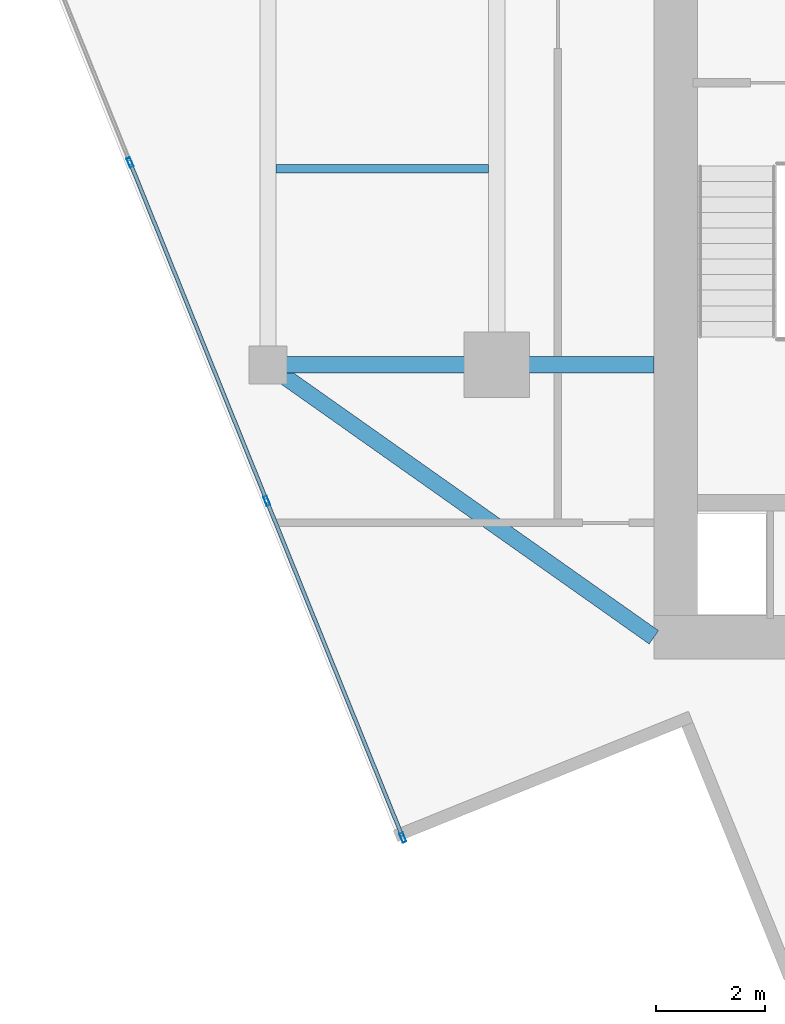
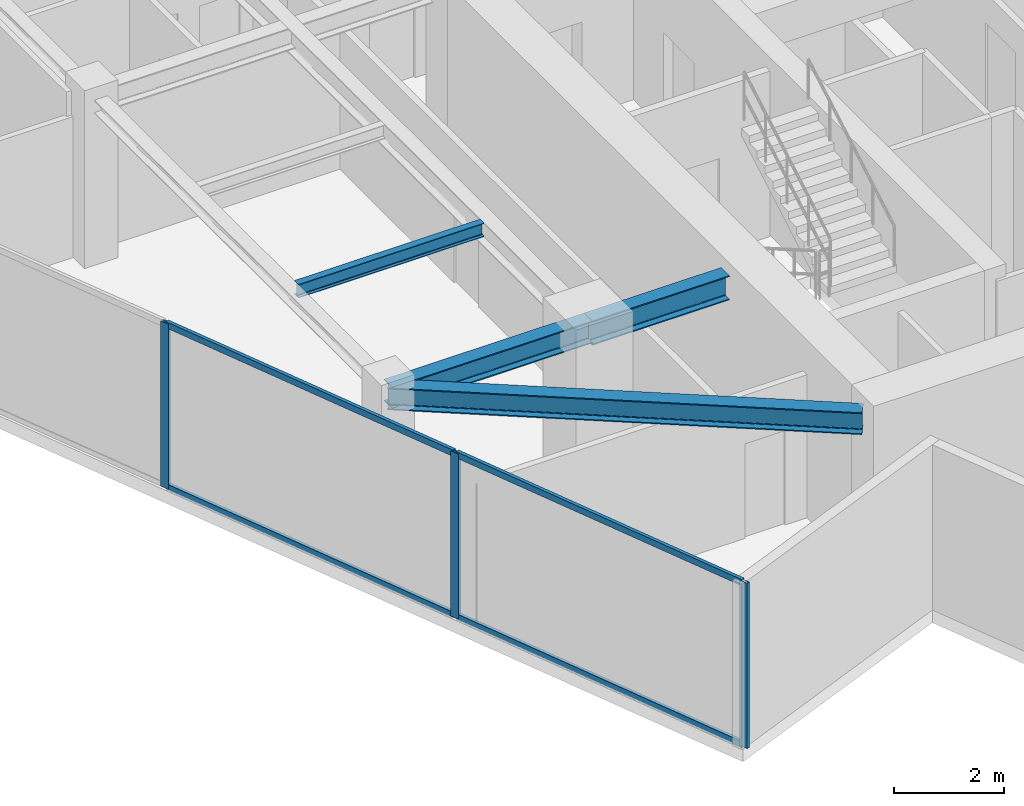
# One storey, part 2 of 21: 7 members, 4 beams, 1 element without a shape of its own.
"""IFC4 building model written with IfcOpenShell, lengths in metres."""

from ifc_helpers import new_model, si_unit, direction, frame, origin, origin_2d, place, context, subcontext, project, spatial, hollow_rectangle, i_section, extrude, source, transform, mapped, material, material_profile, profile_set, type_object, type_shapes, element, aggregate, save


model = new_model("IFC4")

# Units and contexts
model_context = context("Model", 3, precision=1e-05, world=origin(), true_north=direction((0.0, 1.0)))
body_context = subcontext(model_context, "Body", "Model", "MODEL_VIEW")
ifc_project = project(units=[si_unit("LENGTHUNIT", "METRE"), si_unit("AREAUNIT", "SQUARE_METRE"), si_unit("VOLUMEUNIT", "CUBIC_METRE"), si_unit("PLANEANGLEUNIT", "RADIAN"), si_unit("MASSUNIT", "GRAM", prefix="KILO")], contexts=[model_context])

# Site, building, storey
site_placement = place(None, origin())
site = spatial("IfcSite", under=ifc_project, at=site_placement, CompositionType="ELEMENT")
building_placement = place(site_placement, origin())
building = spatial("IfcBuilding", under=site, at=building_placement, Name="Krantzveldt Concourse Tower", CompositionType="ELEMENT")
storey_placement = place(building_placement, frame((0.0, 0.0, 327.699951171875)))
storey = spatial("IfcBuildingStorey", under=building, at=storey_placement, Name="L80", CompositionType="ELEMENT", Elevation=327.699951171875)

# Beams
ifc_material_1 = material(Name="Steel S355JR", Category="steel")
ifc_material_profile_1 = material_profile(ifc_material_1, i_section(OverallWidth=0.300048828125, OverallDepth=0.489990234375, WebThickness=0.011962890625, FlangeThickness=0.02294921875, FilletRadius=0.027099609375, at=origin_2d()), Name="Steel S355JR", Category="steel")
ifc_profile_set_1 = profile_set([ifc_material_profile_1], Name="Steel S355JR - HEA 500")
beam_type_1 = type_object("IfcBeamType", Name="BM-B-HEA500", PredefinedType="BEAM", material=ifc_profile_set_1)
shared_shape_1 = source(origin(), body_context, "Body", "SweptSolid", [
    extrude(i_section(OverallWidth=0.300048828125, OverallDepth=0.489990234375, WebThickness=0.011962890625, FlangeThickness=0.02294921875, FilletRadius=0.027099609375, at=origin_2d()), origin(), (0.0, 0.0, 1.0), 4.199951171875),
])
beam_1_placement = place(storey_placement, frame((21.0, 15.89990234375, 3.425048828125), z_axis=(1.0, 0.0, 0.0), x_axis=(0.0, 1.0, 0.0)))
element("IfcBeam", 1, at=beam_1_placement, inside=storey, type_object=beam_type_1, Name="L80 Tower Girder BR-RL1", PredefinedType="BEAM", context=body_context, shape_type="MappedRepresentation", body=[
    mapped(shared_shape_1, transform((0.0, 0.0, 0.0), x_axis=(1.0, 0.0, 0.0), y_axis=(0.0, 1.0, 0.0), z_axis=(0.0, 0.0, 1.0), scale=1.0)),
])
shared_shape_2 = source(origin(), body_context, "Body", "SweptSolid", [
    extrude(i_section(OverallWidth=0.300048828125, OverallDepth=0.489990234375, WebThickness=0.011962890625, FlangeThickness=0.02294921875, FilletRadius=0.027099609375, at=origin_2d()), origin(), (0.0, 0.0, 1.0), 8.667724609375),
])
type_shapes(beam_type_1, [shared_shape_1, shared_shape_2])
beam_2_placement = place(storey_placement, frame((21.0, 15.89990234375, 3.425048828125), z_axis=(0.81684294656, -0.576860122261, 0.0), x_axis=(0.576860122261, 0.81684294656, 0.0)))
element("IfcBeam", 2, at=beam_2_placement, inside=storey, type_object=beam_type_1, Name="L80 Tower Girder BR-CSW", PredefinedType="BEAM", context=body_context, shape_type="MappedRepresentation", body=[
    mapped(shared_shape_2, transform((0.0, 0.0, 0.0), x_axis=(1.0, 0.0, 0.0), y_axis=(0.0, 1.0, 0.0), z_axis=(0.0, 0.0, 1.0), scale=1.0)),
])
ifc_material_profile_2 = material_profile(ifc_material_1, i_section(OverallWidth=0.300048828125, OverallDepth=0.5400390625, WebThickness=0.012451171875, FlangeThickness=0.02392578125, FilletRadius=0.027099609375, at=origin_2d()), Name="Steel S355JR", Category="steel")
ifc_profile_set_2 = profile_set([ifc_material_profile_2], Name="Steel S355JR - HEA 550")
beam_type_2 = type_object("IfcBeamType", Name="BM-B-HEA550", PredefinedType="BEAM", material=ifc_profile_set_2)
shared_shape_3 = source(origin(), body_context, "Body", "SweptSolid", [
    extrude(i_section(OverallWidth=0.300048828125, OverallDepth=0.5400390625, WebThickness=0.012451171875, FlangeThickness=0.02392578125, FilletRadius=0.027099609375, at=origin_2d()), origin(), (0.0, 0.0, 1.0), 2.880126953125),
])
type_shapes(beam_type_2, [shared_shape_3])
beam_3_placement = place(storey_placement, frame((25.199951171875, 15.89990234375, 3.400146484375), z_axis=(1.0, 0.0, 0.0), x_axis=(0.0, 1.0, 0.0)))
element("IfcBeam", 3, at=beam_3_placement, inside=storey, type_object=beam_type_2, Name="L80 Tower Girder BG-CW1", PredefinedType="BEAM", context=body_context, shape_type="MappedRepresentation", body=[
    mapped(shared_shape_3, transform((0.0, 0.0, 0.0), x_axis=(1.0, 0.0, 0.0), y_axis=(0.0, 1.0, 0.0), z_axis=(0.0, 0.0, 1.0), scale=1.0)),
])
ifc_material_profile_3 = material_profile(ifc_material_1, i_section(OverallWidth=0.14990234375, OverallDepth=0.300048828125, WebThickness=0.007080078125, FlangeThickness=0.0107421875, FilletRadius=0.014892578125, at=origin_2d()), Name="Steel S355JR", Category="steel")
ifc_profile_set_3 = profile_set([ifc_material_profile_3], Name="Steel S355JR - IPE 300")
beam_type_3 = type_object("IfcBeamType", Name="BM-J-IPE300", PredefinedType="JOIST", material=ifc_profile_set_3)
shared_shape_4 = source(origin(), body_context, "Body", "SweptSolid", [
    extrude(i_section(OverallWidth=0.14990234375, OverallDepth=0.300048828125, WebThickness=0.007080078125, FlangeThickness=0.0107421875, FilletRadius=0.014892578125, at=origin_2d()), origin(), (0.0, 0.0, 1.0), 3.900146484375),
])
type_shapes(beam_type_3, [shared_shape_4])
beam_4_placement = place(storey_placement, frame((21.14990234375, 19.5, 3.52001953125), z_axis=(1.0, 0.0, 0.0), x_axis=(0.0, 1.0, 0.0)))
element("IfcBeam", 4, at=beam_4_placement, inside=storey, type_object=beam_type_3, Name="L80 Secondary Floor Joist JW-1", PredefinedType="JOIST", context=body_context, shape_type="MappedRepresentation", body=[
    mapped(shared_shape_4, transform((0.0, 0.0, 0.0), x_axis=(1.0, 0.0, 0.0), y_axis=(0.0, 1.0, 0.0), z_axis=(0.0, 0.0, 1.0), scale=1.0)),
])

# Curtain wall, members
ifc_material_2 = material(Name="Anodised aluminium 6063-T6", Category="aluminium")
curtain_wall_type = type_object("IfcCurtainWallType", Name="CW4", PredefinedType="USERDEFINED", material=ifc_material_2)
curtain_wall_placement = place(storey_placement, origin())
curtain_wall = element("IfcCurtainWall", 5, at=curtain_wall_placement, inside=storey, type_object=curtain_wall_type, Name="CW-L80-F04", ObjectType="UNITISED CURTAIN WALL", PredefinedType="USERDEFINED")
ifc_material_profile_4 = material_profile(ifc_material_2, hollow_rectangle(XDim=0.070068359375, YDim=0.179931640625, WallThickness=0.0048828125, at=origin_2d()), Name="Anodised aluminium 6063-T6", Category="aluminium")
ifc_profile_set_4 = profile_set([ifc_material_profile_4], Name="Anodised aluminium 6063-T6 - ALU-MULL 180x70x5")
member_type_1 = type_object("IfcMemberType", Name="CW-MUL-180", PredefinedType="MULLION", material=ifc_profile_set_4)
shared_shape_5 = source(origin(), body_context, "Body", "SweptSolid", [
    extrude(hollow_rectangle(XDim=0.070068359375, YDim=0.179931640625, WallThickness=0.0048828125, at=origin_2d()), origin(), (0.0, 0.0, 1.0), 3.670166015625),
])
type_shapes(member_type_1, [shared_shape_5])
member_1_placement = place(storey_placement, frame((18.467041015625, 19.6162109375, 0.0), z_axis=(0.0, 0.0, 1.0), x_axis=(0.927183825969, 0.374606664198, 0.0)))
member_1 = element("IfcMember", 6, at=member_1_placement, type_object=member_type_1, Name="CW-Z56 mullion 3", PredefinedType="MULLION", context=body_context, shape_type="MappedRepresentation", body=[
    mapped(shared_shape_5, transform((0.0, 0.0, 0.0), x_axis=(1.0, 0.0, 0.0), y_axis=(0.0, 1.0, 0.0), z_axis=(0.0, 0.0, 1.0), scale=1.0)),
])
member_2_placement = place(storey_placement, frame((20.976806640625, 13.404052734375, 0.0), z_axis=(0.0, 0.0, 1.0), x_axis=(0.927183825969, 0.374606664198, 0.0)))
member_2 = element("IfcMember", 7, at=member_2_placement, type_object=member_type_1, Name="CW-Z56 mullion 4", PredefinedType="MULLION", context=body_context, shape_type="MappedRepresentation", body=[
    mapped(shared_shape_5, transform((0.0, 0.0, 0.0), x_axis=(1.0, 0.0, 0.0), y_axis=(0.0, 1.0, 0.0), z_axis=(0.0, 0.0, 1.0), scale=1.0)),
])
member_3_placement = place(storey_placement, frame((23.4736328125, 7.224365234375, 0.0), z_axis=(0.0, 0.0, 1.0), x_axis=(0.927183825969, 0.374606664198, 0.0)))
member_3 = element("IfcMember", 8, at=member_3_placement, type_object=member_type_1, Name="CW-Z56 mullion 5", PredefinedType="MULLION", context=body_context, shape_type="MappedRepresentation", body=[
    mapped(shared_shape_5, transform((0.0, 0.0, 0.0), x_axis=(1.0, 0.0, 0.0), y_axis=(0.0, 1.0, 0.0), z_axis=(0.0, 0.0, 1.0), scale=1.0)),
])
ifc_material_profile_5 = material_profile(ifc_material_2, hollow_rectangle(XDim=0.070068359375, YDim=0.139892578125, WallThickness=0.0048828125, at=origin_2d()), Name="Anodised aluminium 6063-T6", Category="aluminium")
ifc_profile_set_5 = profile_set([ifc_material_profile_5], Name="Anodised aluminium 6063-T6 - ALU-TRAN 140x70x5")
member_type_2 = type_object("IfcMemberType", Name="CW-TRN-150", PredefinedType="USERDEFINED", material=ifc_profile_set_5)
shared_shape_6 = source(origin(), body_context, "Body", "SweptSolid", [
    extrude(hollow_rectangle(XDim=0.070068359375, YDim=0.139892578125, WallThickness=0.0048828125, at=origin_2d()), origin(), (0.0, 0.0, 1.0), 6.594970703125),
])
member_4_placement = place(storey_placement, frame((20.989990234375, 13.37158203125, 0.03515625), z_axis=(0.374598928417, -0.927186951391, 0.0), x_axis=(0.927186951391, 0.374598928417, 0.0)))
member_4 = element("IfcMember", 9, at=member_4_placement, type_object=member_type_2, Name="CW-Z56 transom 4.1", ObjectType="TRANSOM", PredefinedType="USERDEFINED", context=body_context, shape_type="MappedRepresentation", body=[
    mapped(shared_shape_6, transform((0.0, 0.0, 0.0), x_axis=(1.0, 0.0, 0.0), y_axis=(0.0, 1.0, 0.0), z_axis=(0.0, 0.0, 1.0), scale=1.0)),
])
member_5_placement = place(storey_placement, frame((20.989990234375, 13.37158203125, 3.635009765625), z_axis=(0.374598928417, -0.927186951391, 0.0), x_axis=(0.927186951391, 0.374598928417, 0.0)))
member_5 = element("IfcMember", 10, at=member_5_placement, type_object=member_type_2, Name="CW-Z56 transom 4.2", ObjectType="TRANSOM", PredefinedType="USERDEFINED", context=body_context, shape_type="MappedRepresentation", body=[
    mapped(shared_shape_6, transform((0.0, 0.0, 0.0), x_axis=(1.0, 0.0, 0.0), y_axis=(0.0, 1.0, 0.0), z_axis=(0.0, 0.0, 1.0), scale=1.0)),
])
shared_shape_7 = source(origin(), body_context, "Body", "SweptSolid", [
    extrude(hollow_rectangle(XDim=0.070068359375, YDim=0.139892578125, WallThickness=0.0048828125, at=origin_2d()), origin(), (0.0, 0.0, 1.0), 6.6298828125),
])
type_shapes(member_type_2, [shared_shape_6, shared_shape_7])
member_6_placement = place(storey_placement, frame((18.47998046875, 19.583740234375, 0.03515625), z_axis=(0.374607342392, -0.92718355196, 0.0), x_axis=(0.92718355196, 0.374607342392, 0.0)))
member_6 = element("IfcMember", 11, at=member_6_placement, type_object=member_type_2, Name="CW-Z56 transom 3.1", ObjectType="TRANSOM", PredefinedType="USERDEFINED", context=body_context, shape_type="MappedRepresentation", body=[
    mapped(shared_shape_7, transform((0.0, 0.0, 0.0), x_axis=(1.0, 0.0, 0.0), y_axis=(0.0, 1.0, 0.0), z_axis=(0.0, 0.0, 1.0), scale=1.0)),
])
member_7_placement = place(storey_placement, frame((18.47998046875, 19.583740234375, 3.635009765625), z_axis=(0.374607342392, -0.92718355196, 0.0), x_axis=(0.92718355196, 0.374607342392, 0.0)))
member_7 = element("IfcMember", 12, at=member_7_placement, type_object=member_type_2, Name="CW-Z56 transom 3.2", ObjectType="TRANSOM", PredefinedType="USERDEFINED", context=body_context, shape_type="MappedRepresentation", body=[
    mapped(shared_shape_7, transform((0.0, 0.0, 0.0), x_axis=(1.0, 0.0, 0.0), y_axis=(0.0, 1.0, 0.0), z_axis=(0.0, 0.0, 1.0), scale=1.0)),
])
aggregate(curtain_wall, [member_1, member_2, member_3, member_6, member_7, member_4, member_5])

save(model, "model.ifc")
